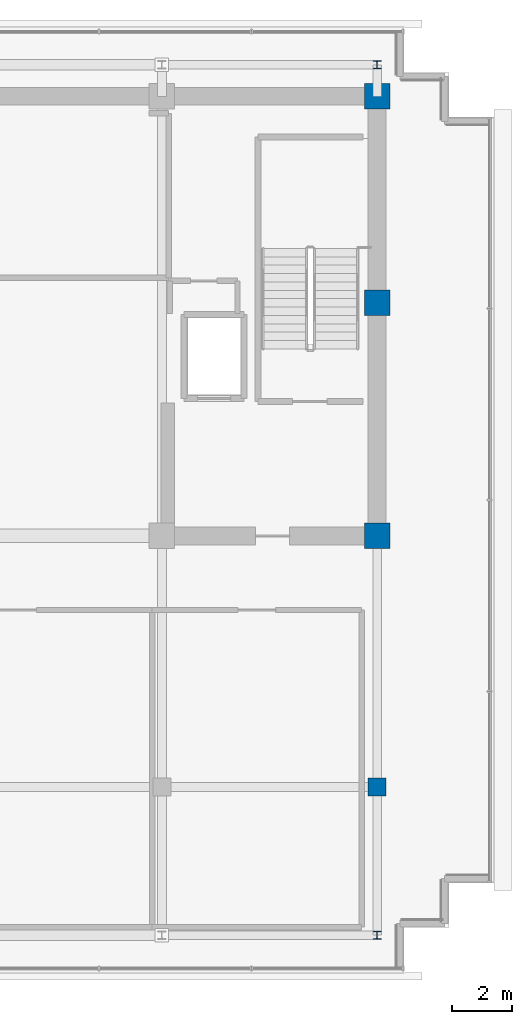
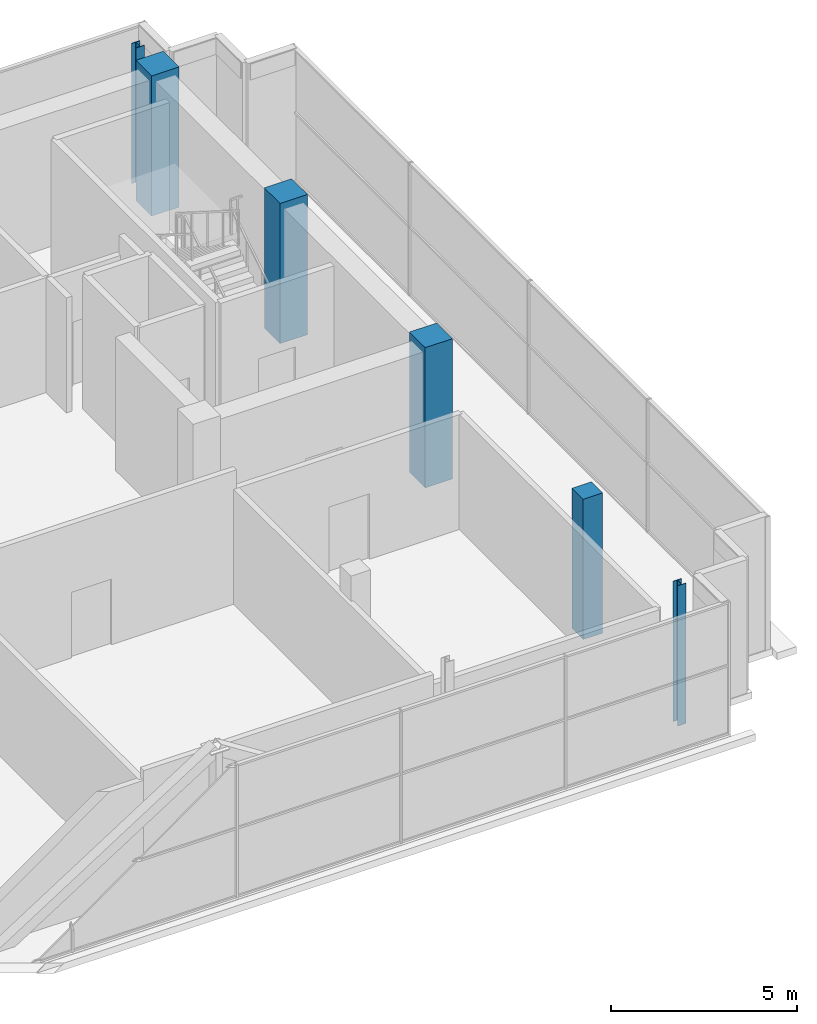
# One storey, part 2 of 28: 6 columns.
"""IFC4 building model written with IfcOpenShell, lengths in metres."""

from ifc_helpers import new_model, si_unit, direction, frame, origin, origin_2d, place, context, subcontext, project, spatial, rectangle, i_section, extrude, material, material_profile, profile_set, type_object, element, save


model = new_model("IFC4")

# Units and contexts
model_context = context("Model", 3, precision=1e-05, world=origin(), true_north=direction((0.0, 1.0)))
body_context = subcontext(model_context, "Body", "Model", "MODEL_VIEW")
ifc_project = project(units=[si_unit("LENGTHUNIT", "METRE"), si_unit("AREAUNIT", "SQUARE_METRE"), si_unit("VOLUMEUNIT", "CUBIC_METRE"), si_unit("PLANEANGLEUNIT", "RADIAN"), si_unit("MASSUNIT", "GRAM", prefix="KILO")], contexts=[model_context])

# Site, building, storey
site_placement = place(None, origin())
site = spatial("IfcSite", under=ifc_project, at=site_placement, CompositionType="ELEMENT")
building_placement = place(site_placement, origin())
building = spatial("IfcBuilding", under=site, at=building_placement, Name="Zarnakvel Exchange Tower", CompositionType="ELEMENT")
storey_placement = place(building_placement, frame((0.0, 0.0, 290.0)))
storey = spatial("IfcBuildingStorey", under=building, at=storey_placement, Name="Crown L81", CompositionType="ELEMENT", Elevation=290.0)

# Columns
ifc_material_1 = material(Name="Concrete C50/60", Category="concrete")
ifc_material_profile_1 = material_profile(ifc_material_1, rectangle(XDim=0.85009765625, YDim=0.85009765625, at=origin_2d()))
ifc_profile_set_1 = profile_set([ifc_material_profile_1], Name="Concrete C50/60")
column_type_1 = type_object("IfcColumnType", Name="CC-03", PredefinedType="COLUMN", material=ifc_profile_set_1)
for number, where, z_axis, x_axis, name in (
    (1, (14.39990234375, -1.199951171875, 0.0), (0.0, 0.0, 1.0), (1.0, 0.0, 0.0), "Crown L81 Column C-9D (CC-03)"),
    (2, (14.39990234375, 6.60009765625, 0.0), (0.0, 0.0, 1.0), (1.0, 0.0, 0.0), "Crown L81 Column C-9E (CC-03)"),
    (3, (14.39990234375, 13.5, 0.0), (0.0, 0.0, 1.0), (1.0, 0.0, 0.0), "Crown L81 Column C-9F (CC-03)"),
):
    element("IfcColumn", number, at=place(storey_placement, frame(where, z_axis=z_axis, x_axis=x_axis)), inside=storey, type_object=column_type_1, Name=name, PredefinedType="COLUMN", context=body_context, shape_type="SweptSolid", body=[
        extrude(rectangle(XDim=0.85009765625, YDim=0.85009765625, at=origin_2d()), origin(), (0.0, 0.0, 1.0), 4.60009765625),
    ])
ifc_material_2 = material(Name="Steel S355", Category="steel")
ifc_material_profile_2 = material_profile(ifc_material_2, i_section(OverallWidth=0.260009765625, OverallDepth=0.260009765625, WebThickness=0.010009765625, FlangeThickness=0.017578125, FilletRadius=0.02392578125, at=origin_2d()))
ifc_profile_set_2 = profile_set([ifc_material_profile_2], Name="Steel S355")
column_type_2 = type_object("IfcColumnType", Name="CF-02", PredefinedType="COLUMN", material=ifc_profile_set_2)
for number, where, z_axis, x_axis, name in (
    (4, (14.39990234375, -14.550048828125, 0.0), (0.0, 0.0, 1.0), (1.0, 0.0, 0.0), "Crown L81 Column CS-9 (CF-02)"),
    (5, (14.39990234375, 14.550048828125, 0.0), (0.0, 0.0, 1.0), (1.0, 0.0, 0.0), "Crown L81 Column CN-9 (CF-02)"),
):
    element("IfcColumn", number, at=place(storey_placement, frame(where, z_axis=z_axis, x_axis=x_axis)), inside=storey, type_object=column_type_2, Name=name, PredefinedType="COLUMN", context=body_context, shape_type="SweptSolid", body=[
        extrude(i_section(OverallWidth=0.260009765625, OverallDepth=0.260009765625, WebThickness=0.010009765625, FlangeThickness=0.017578125, FilletRadius=0.02392578125, at=origin_2d()), origin(), (0.0, 0.0, 1.0), 4.60009765625),
    ])
ifc_material_profile_3 = material_profile(ifc_material_1, rectangle(XDim=0.60009765625, YDim=0.60009765625, at=origin_2d()))
ifc_profile_set_3 = profile_set([ifc_material_profile_3], Name="Concrete C50/60")
column_type_3 = type_object("IfcColumnType", Name="TC-06", PredefinedType="COLUMN", material=ifc_profile_set_3)
column_placement = place(storey_placement, frame((14.39990234375, -9.60009765625, 0.0), z_axis=(0.0, 0.0, 1.0), x_axis=(1.0, 0.0, 0.0)))
element("IfcColumn", 6, at=column_placement, inside=storey, type_object=column_type_3, Name="Crown L81 Column CC-9C (TC-06)", PredefinedType="COLUMN", context=body_context, shape_type="SweptSolid", body=[
    extrude(rectangle(XDim=0.60009765625, YDim=0.60009765625, at=origin_2d()), origin(), (0.0, 0.0, 1.0), 4.60009765625),
])

save(model, "model.ifc")
